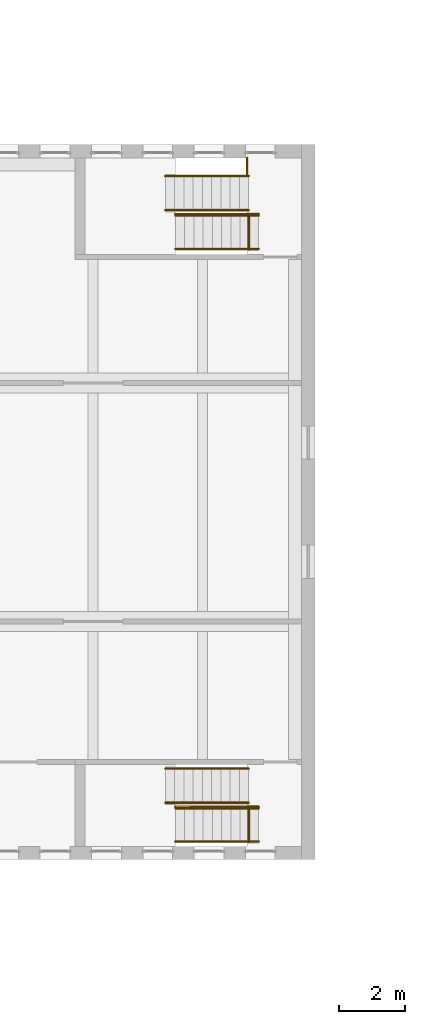
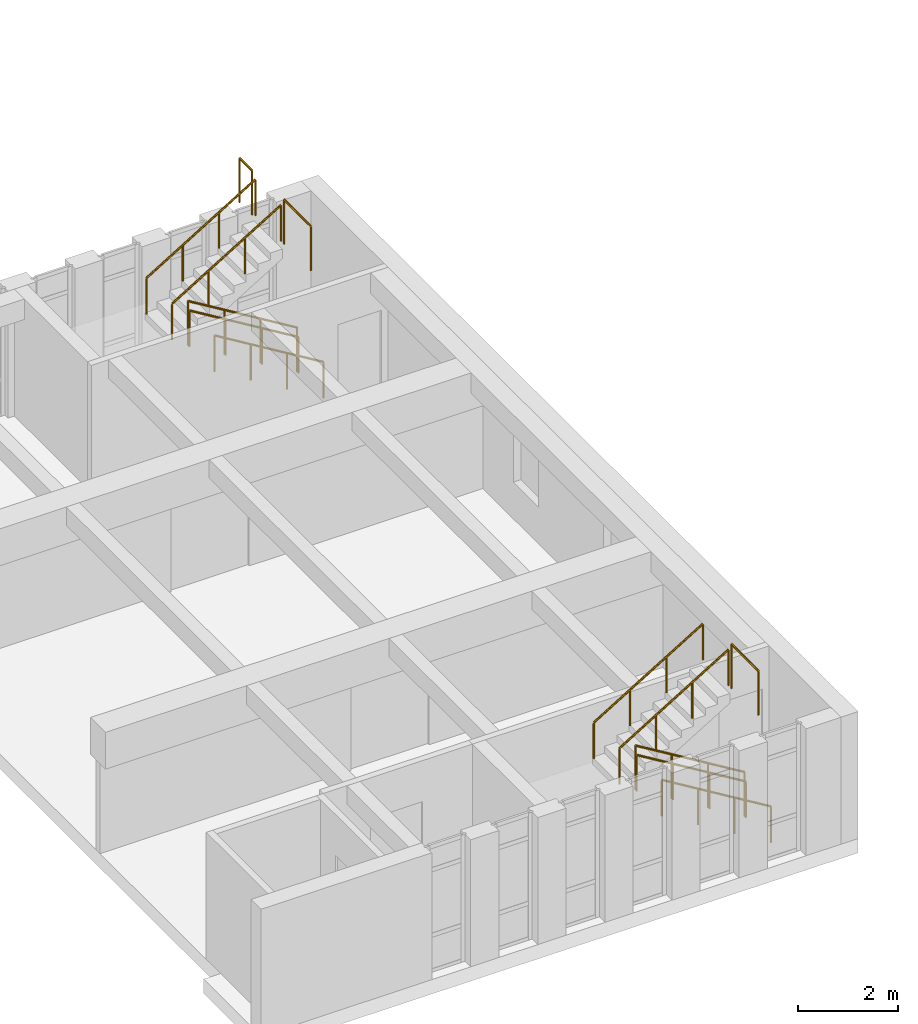
# One storey, part 18 of 19: 13 railings.
"""IFC4 building model written with IfcOpenShell, lengths in metres."""

from ifc_helpers import new_model, si_unit, direction, frame, origin, origin_2d, place, context, subcontext, project, spatial, circle, extrude, material, type_object, element, save


model = new_model("IFC4")

# Units and contexts
model_context = context("Model", 3, precision=1e-05, world=origin(), true_north=direction((0.0, 1.0)))
body_context = subcontext(model_context, "Body", "Model", "MODEL_VIEW")
ifc_project = project(units=[si_unit("LENGTHUNIT", "METRE"), si_unit("AREAUNIT", "SQUARE_METRE"), si_unit("VOLUMEUNIT", "CUBIC_METRE"), si_unit("PLANEANGLEUNIT", "RADIAN"), si_unit("MASSUNIT", "GRAM", prefix="KILO")], contexts=[model_context])

# Site, building, storey
site_placement = place(None, origin())
site = spatial("IfcSite", under=ifc_project, at=site_placement, CompositionType="ELEMENT")
building_placement = place(site_placement, origin())
building = spatial("IfcBuilding", under=site, at=building_placement, Name="Vermilion Court Aquatics Centre", CompositionType="ELEMENT")
storey_placement = place(building_placement, frame((0.0, 0.0, 19.89990234375)))
storey = spatial("IfcBuildingStorey", under=building, at=storey_placement, Name="L04", CompositionType="ELEMENT", Elevation=19.89990234375)

# Railings
ifc_material_1 = material(Name="Steel ASTM A992 Grade 50", Category="steel")
railing_type_1 = type_object("IfcRailingType", Name="Diving Tower stair guard 1100", PredefinedType="GUARDRAIL", material=ifc_material_1)
railing_1_placement = place(storey_placement, frame((156.199951171875, 37.60498046875, 0.170166015625)))
element("IfcRailing", 1, at=railing_1_placement, inside=storey, type_object=railing_type_1, Name="Stair 1 guard well L04", PredefinedType="GUARDRAIL", context=body_context, shape_type="SweptSolid", body=[
    extrude(circle(Radius=0.02392578125, at=origin_2d()), frame((0.0, 0.0, 1.076171875), z_axis=(-0.85478489116, 0.0, 0.518982456201), x_axis=(0.0, -1.0, 0.0)), (0.0, 0.0, 1.0), 2.9482421875),
    extrude(circle(Radius=0.02099609375, at=origin_2d()), origin(), (0.0, 0.0, 1.0), 1.052001953125),
    extrude(circle(Radius=0.02099609375, at=origin_2d()), frame((-0.840087890625, 0.0, 0.510009765625)), (0.0, 0.0, 1.0), 1.052001953125),
    extrude(circle(Radius=0.02099609375, at=origin_2d()), frame((-1.679931640625, 0.0, 1.02001953125)), (0.0, 0.0, 1.0), 1.052001953125),
    extrude(circle(Radius=0.02099609375, at=origin_2d()), frame((-2.52001953125, 0.0, 1.530029296875)), (0.0, 0.0, 1.0), 1.052001953125),
])
railing_2_placement = place(storey_placement, frame((155.89990234375, 37.60009765625, 3.400146484375)))
element("IfcRailing", 2, at=railing_2_placement, inside=storey, type_object=railing_type_1, Name="Stair 1 floor edge guard L04", PredefinedType="GUARDRAIL", context=body_context, shape_type="SweptSolid", body=[
    extrude(circle(Radius=0.02392578125, at=origin_2d()), frame((0.0, 0.0, 1.076171875), z_axis=(0.0, -1.0, 0.0), x_axis=(1.0, 0.0, 0.0)), (0.0, 0.0, 1.0), 1.070068359375),
    extrude(circle(Radius=0.02099609375, at=origin_2d()), origin(), (0.0, 0.0, 1.0), 1.052001953125),
    extrude(circle(Radius=0.02099609375, at=origin_2d()), frame((0.0, -1.070068359375, 0.0)), (0.0, 0.0, 1.0), 1.052001953125),
])
railing_3_placement = place(storey_placement, frame((156.199951171875, 55.5048828125, 0.170166015625)))
element("IfcRailing", 3, at=railing_3_placement, inside=storey, type_object=railing_type_1, Name="Stair 2 guard well L04", PredefinedType="GUARDRAIL", context=body_context, shape_type="SweptSolid", body=[
    extrude(circle(Radius=0.02392578125, at=origin_2d()), frame((0.0, 0.0, 1.076171875), z_axis=(-0.85478489116, 0.0, 0.518982456201), x_axis=(0.0, -1.0, 0.0)), (0.0, 0.0, 1.0), 2.9482421875),
    extrude(circle(Radius=0.02099609375, at=origin_2d()), origin(), (0.0, 0.0, 1.0), 1.052001953125),
    extrude(circle(Radius=0.02099609375, at=origin_2d()), frame((-0.840087890625, 0.0, 0.510009765625)), (0.0, 0.0, 1.0), 1.052001953125),
    extrude(circle(Radius=0.02099609375, at=origin_2d()), frame((-1.679931640625, 0.0, 1.02001953125)), (0.0, 0.0, 1.0), 1.052001953125),
    extrude(circle(Radius=0.02099609375, at=origin_2d()), frame((-2.52001953125, 0.0, 1.530029296875)), (0.0, 0.0, 1.0), 1.052001953125),
])
railing_4_placement = place(storey_placement, frame((155.85009765625, 56.699951171875, 3.400146484375)))
element("IfcRailing", 4, at=railing_4_placement, inside=storey, type_object=railing_type_1, Name="Stair 2 floor edge guard slot L04", PredefinedType="GUARDRAIL", context=body_context, shape_type="SweptSolid", body=[
    extrude(circle(Radius=0.02392578125, at=origin_2d()), frame((0.0, 0.0, 1.076171875), z_axis=(0.0, 1.0, 0.0), x_axis=(-1.0, 0.0, 0.0)), (0.0, 0.0, 1.0), 0.5),
    extrude(circle(Radius=0.02099609375, at=origin_2d()), origin(), (0.0, 0.0, 1.0), 1.052001953125),
    extrude(circle(Radius=0.02099609375, at=origin_2d()), frame((0.0, 0.5, 0.0)), (0.0, 0.0, 1.0), 1.052001953125),
])
railing_5_placement = place(storey_placement, frame((155.89990234375, 55.5, 3.400146484375)))
element("IfcRailing", 5, at=railing_5_placement, inside=storey, type_object=railing_type_1, Name="Stair 2 floor edge guard L04", PredefinedType="GUARDRAIL", context=body_context, shape_type="SweptSolid", body=[
    extrude(circle(Radius=0.02392578125, at=origin_2d()), frame((0.0, 0.0, 1.076171875), z_axis=(0.0, -1.0, 0.0), x_axis=(1.0, 0.0, 0.0)), (0.0, 0.0, 1.0), 1.070068359375),
    extrude(circle(Radius=0.02099609375, at=origin_2d()), origin(), (0.0, 0.0, 1.0), 1.052001953125),
    extrude(circle(Radius=0.02099609375, at=origin_2d()), frame((0.0, -1.070068359375, 0.0)), (0.0, 0.0, 1.0), 1.052001953125),
])
ifc_material_2 = material(Name="Steel ASTM A992 Grade 50", Category="steel")
railing_type_2 = type_object("IfcRailingType", Name="Diving Tower stair handrail 900", PredefinedType="HANDRAIL", material=ifc_material_2)
for number, where, name in (
    (6, (156.199951171875, 36.550048828125, 0.170166015625), "Stair 1 handrail wall L04"),
    (7, (156.199951171875, 37.554931640625, 0.170166015625), "Stair 1 handrail well L04"),
):
    element("IfcRailing", number, at=place(storey_placement, frame(where)), inside=storey, type_object=railing_type_2, Name=name, PredefinedType="HANDRAIL", context=body_context, shape_type="SweptSolid", body=[
        extrude(circle(Radius=0.02392578125, at=origin_2d()), frame((0.0, 0.0, 0.8759765625), z_axis=(-0.85478489116, 0.0, 0.518982456201), x_axis=(0.0, -1.0, 0.0)), (0.0, 0.0, 1.0), 2.9482421875),
        extrude(circle(Radius=0.02099609375, at=origin_2d()), origin(), (0.0, 0.0, 1.0), 0.851806640625),
        extrude(circle(Radius=0.02099609375, at=origin_2d()), frame((-0.840087890625, 0.0, 0.510009765625)), (0.0, 0.0, 1.0), 0.851806640625),
        extrude(circle(Radius=0.02099609375, at=origin_2d()), frame((-1.679931640625, 0.0, 1.02001953125)), (0.0, 0.0, 1.0), 0.851806640625),
        extrude(circle(Radius=0.02099609375, at=origin_2d()), frame((-2.52001953125, 0.0, 1.530029296875)), (0.0, 0.0, 1.0), 0.851806640625),
    ])
for number, where, name in (
    (8, (153.3798828125, 38.75, 1.8701171875), "Stair 1 handrail wall L04"),
    (9, (153.3798828125, 37.719970703125, 1.8701171875), "Stair 1 handrail well L04"),
):
    element("IfcRailing", number, at=place(storey_placement, frame(where)), inside=storey, type_object=railing_type_2, Name=name, PredefinedType="HANDRAIL", context=body_context, shape_type="SweptSolid", body=[
        extrude(circle(Radius=0.02392578125, at=origin_2d()), frame((0.0, 0.0, 0.8759765625), z_axis=(0.85478489116, 0.0, 0.518982456201), x_axis=(0.0, 1.0, 0.0)), (0.0, 0.0, 1.0), 2.9482421875),
        extrude(circle(Radius=0.02099609375, at=origin_2d()), origin(), (0.0, 0.0, 1.0), 0.851806640625),
        extrude(circle(Radius=0.02099609375, at=origin_2d()), frame((0.840087890625, 0.0, 0.510009765625)), (0.0, 0.0, 1.0), 0.851806640625),
        extrude(circle(Radius=0.02099609375, at=origin_2d()), frame((1.679931640625, 0.0, 1.02001953125)), (0.0, 0.0, 1.0), 0.851806640625),
        extrude(circle(Radius=0.02099609375, at=origin_2d()), frame((2.52001953125, 0.0, 1.530029296875)), (0.0, 0.0, 1.0), 0.851806640625),
    ])
for number, where, name in (
    (10, (156.199951171875, 54.449951171875, 0.170166015625), "Stair 2 handrail wall L04"),
    (11, (156.199951171875, 55.455078125, 0.170166015625), "Stair 2 handrail well L04"),
):
    element("IfcRailing", number, at=place(storey_placement, frame(where)), inside=storey, type_object=railing_type_2, Name=name, PredefinedType="HANDRAIL", context=body_context, shape_type="SweptSolid", body=[
        extrude(circle(Radius=0.02392578125, at=origin_2d()), frame((0.0, 0.0, 0.8759765625), z_axis=(-0.85478489116, 0.0, 0.518982456201), x_axis=(0.0, -1.0, 0.0)), (0.0, 0.0, 1.0), 2.9482421875),
        extrude(circle(Radius=0.02099609375, at=origin_2d()), origin(), (0.0, 0.0, 1.0), 0.851806640625),
        extrude(circle(Radius=0.02099609375, at=origin_2d()), frame((-0.840087890625, 0.0, 0.510009765625)), (0.0, 0.0, 1.0), 0.851806640625),
        extrude(circle(Radius=0.02099609375, at=origin_2d()), frame((-1.679931640625, 0.0, 1.02001953125)), (0.0, 0.0, 1.0), 0.851806640625),
        extrude(circle(Radius=0.02099609375, at=origin_2d()), frame((-2.52001953125, 0.0, 1.530029296875)), (0.0, 0.0, 1.0), 0.851806640625),
    ])
for number, where, name in (
    (12, (153.3798828125, 56.64990234375, 1.8701171875), "Stair 2 handrail wall L04"),
    (13, (153.3798828125, 55.6201171875, 1.8701171875), "Stair 2 handrail well L04"),
):
    element("IfcRailing", number, at=place(storey_placement, frame(where)), inside=storey, type_object=railing_type_2, Name=name, PredefinedType="HANDRAIL", context=body_context, shape_type="SweptSolid", body=[
        extrude(circle(Radius=0.02392578125, at=origin_2d()), frame((0.0, 0.0, 0.8759765625), z_axis=(0.85478489116, 0.0, 0.518982456201), x_axis=(0.0, 1.0, 0.0)), (0.0, 0.0, 1.0), 2.9482421875),
        extrude(circle(Radius=0.02099609375, at=origin_2d()), origin(), (0.0, 0.0, 1.0), 0.851806640625),
        extrude(circle(Radius=0.02099609375, at=origin_2d()), frame((0.840087890625, 0.0, 0.510009765625)), (0.0, 0.0, 1.0), 0.851806640625),
        extrude(circle(Radius=0.02099609375, at=origin_2d()), frame((1.679931640625, 0.0, 1.02001953125)), (0.0, 0.0, 1.0), 0.851806640625),
        extrude(circle(Radius=0.02099609375, at=origin_2d()), frame((2.52001953125, 0.0, 1.530029296875)), (0.0, 0.0, 1.0), 0.851806640625),
    ])

save(model, "model.ifc")
